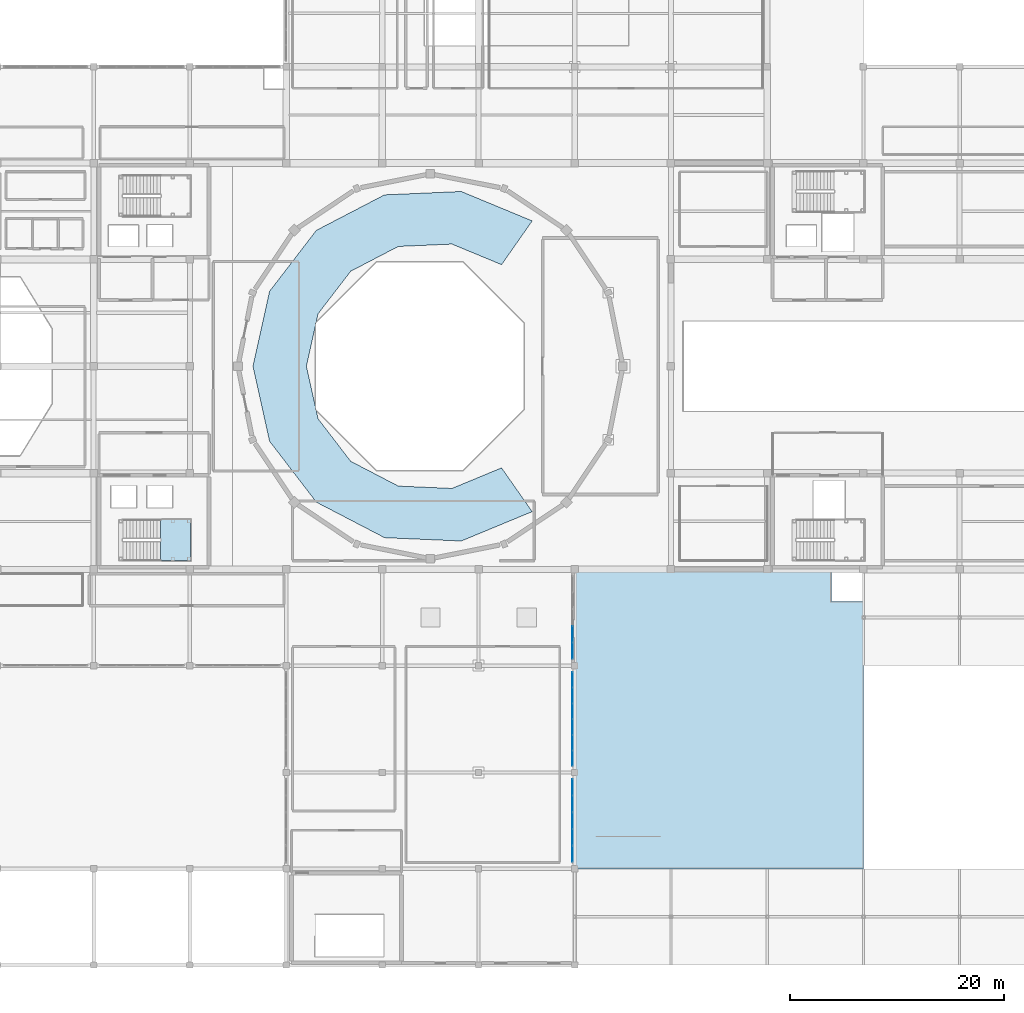
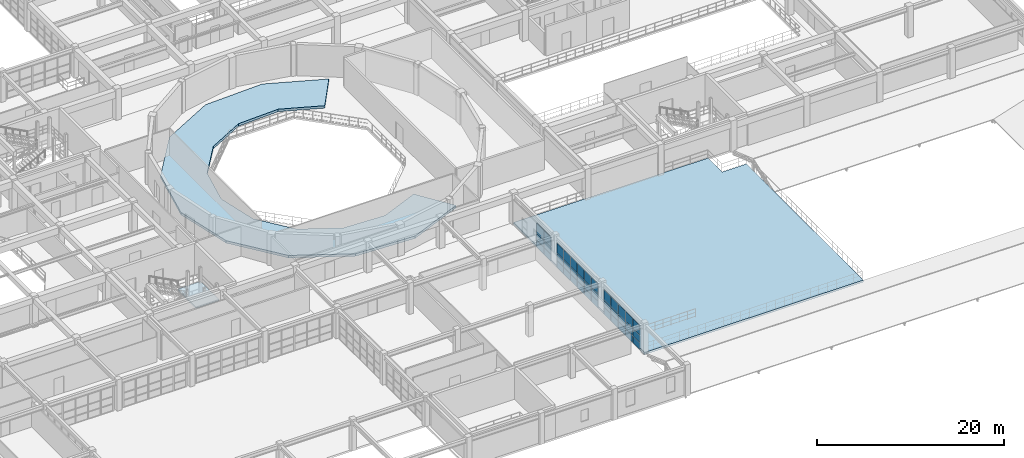
# One storey, part 82 of 110: 39 plates, 3 slabs, 4 elements without a shape of their own.
"""IFC4 building model written with IfcOpenShell, lengths in metres."""

import ifcopenshell
import ifcopenshell.guid

model = None  # the IFC model being written
_history = None  # IfcOwnerHistory: only IFC2X3 demands one
_inside = {}  # id of a spatial element -> (the spatial element, [elements in it])
_under = {}  # id of a project, library or spatial element -> (it, [spatial elements below it])
_declared = {}  # id of a project -> (the project, [libraries it declares])
_typed = {}  # id of a type object -> (the type object, [elements of that type])
_made_of = {}  # id of a material, layer set ... -> (it, [elements and type objects made of it])


def new_model(schema):
    """Start an empty IFC model of exactly this schema.

    Asked for "IFC4X3", IfcOpenShell would pick the latest addendum, in which some entities
    have other attributes; the version numbers below select the first issue.
    IFC2X3 requires an IfcOwnerHistory on every rooted entity: one is made here for all.
    """
    global model, _history
    if schema == "IFC4X3":
        model = ifcopenshell.file(schema_version=(4, 3, 0, 0))
    else:
        model = ifcopenshell.file(schema=schema)
    _inside.clear()
    _under.clear()
    _declared.clear()
    _typed.clear()
    _made_of.clear()
    _history = None
    if model.schema == "IFC2X3":
        org = make("IfcOrganization", Name="unknown")
        user = make(
            "IfcPersonAndOrganization",
            ThePerson=make("IfcPerson", FamilyName="unknown"),
            TheOrganization=org,
        )
        app = make(
            "IfcApplication",
            ApplicationDeveloper=org,
            Version="unknown",
            ApplicationFullName="unknown",
            ApplicationIdentifier="unknown",
        )
        _history = make(
            "IfcOwnerHistory",
            OwningUser=user,
            OwningApplication=app,
            ChangeAction="ADDED",
            CreationDate=0,
        )
    return model


def make(cls, **values):
    """One entity of the class cls with the attributes given. An attribute that is None is left unset."""
    return model.create_entity(
        cls, **{name: value for name, value in values.items() if value is not None}
    )


def rooted(cls, **values):
    """An entity with a GlobalId (a new one), such as an element, a storey or a relation."""
    return make(cls, GlobalId=ifcopenshell.guid.new(), OwnerHistory=_history, **values)


def si_unit(unit_type, name, prefix=None):
    """IfcSIUnit, for example si_unit("LENGTHUNIT", "METRE", prefix="MILLI")."""
    return make("IfcSIUnit", UnitType=unit_type, Prefix=prefix, Name=name)


def assignment(units):
    """IfcUnitAssignment: the units of a project."""
    return None if units is None else make("IfcUnitAssignment", Units=units)


def point(xyz):
    """IfcCartesianPoint."""
    return None if xyz is None else make("IfcCartesianPoint", Coordinates=xyz)


def direction(xyz):
    """IfcDirection."""
    return None if xyz is None else make("IfcDirection", DirectionRatios=xyz)


def frame(location, z_axis=None, x_axis=None):
    """IfcAxis2Placement3D, a coordinate frame: its origin and axes. An axis left out is left unset."""
    return make(
        "IfcAxis2Placement3D",
        Location=point(location),
        Axis=direction(z_axis),
        RefDirection=direction(x_axis),
    )


def frame_2d(location, x_axis=None):
    """IfcAxis2Placement2D, a coordinate frame in the plane: its origin and x axis."""
    return make(
        "IfcAxis2Placement2D", Location=point(location), RefDirection=direction(x_axis)
    )


def origin():
    """The frame at (0, 0, 0) with its axes left unset."""
    return frame((0.0, 0.0, 0.0))


def origin_2d():
    """The frame at (0, 0) in the plane with its x axis left unset."""
    return frame_2d((0.0, 0.0))


def place(relative_to, where):
    """IfcLocalPlacement: puts the frame where relative to a parent placement (None: the world)."""
    return make(
        "IfcLocalPlacement", PlacementRelTo=relative_to, RelativePlacement=where
    )


def context(
    kind, dimensions, precision=None, world=None, true_north=None, identifier=None
):
    """IfcGeometricRepresentationContext, for example the 3D "Model" context."""
    return make(
        "IfcGeometricRepresentationContext",
        ContextIdentifier=identifier,
        ContextType=kind,
        CoordinateSpaceDimension=dimensions,
        Precision=precision,
        WorldCoordinateSystem=world,
        TrueNorth=true_north,
    )


def subcontext(parent, identifier, kind, view, scale=None):
    """IfcGeometricRepresentationSubContext, for example "Body" below "Model"."""
    return make(
        "IfcGeometricRepresentationSubContext",
        ContextIdentifier=identifier,
        ContextType=kind,
        ParentContext=parent,
        TargetScale=scale,
        TargetView=view,
    )


def project(units=None, contexts=None):
    """IfcProject with its units and contexts."""
    return rooted(
        "IfcProject",
        Name="project",
        RepresentationContexts=contexts,
        UnitsInContext=assignment(units),
    )


def spatial(cls, under=None, at=None, **own):
    """A site, building, storey or space (cls), placed at a placement, below another one or the project."""
    s = rooted(cls, ObjectPlacement=at, **own)
    if under is not None:
        _under.setdefault(under.id(), (under, []))[1].append(s)
    return s


def polyline(points):
    """IfcPolyline through the points."""
    return make("IfcPolyline", Points=[point(p) for p in points])


def profile(cls, at=None, kind="AREA", **sizes):
    """A parametric profile (cls). Its sizes go by their IFC names, for example OverallWidth=200.0."""
    return make(cls, ProfileType=kind, Position=at, **sizes)


def rectangle(**sizes):
    """IfcRectangleProfileDef."""
    return profile("IfcRectangleProfileDef", **sizes)


def outline(outer, holes=None, kind="AREA"):
    """IfcArbitraryClosedProfileDef: a profile drawn as a closed curve; with holes, ...WithVoids."""
    if holes is None:
        return make("IfcArbitraryClosedProfileDef", ProfileType=kind, OuterCurve=outer)
    return make(
        "IfcArbitraryProfileDefWithVoids",
        ProfileType=kind,
        OuterCurve=outer,
        InnerCurves=holes,
    )


def extrude(swept, where, along, depth):
    """IfcExtrudedAreaSolid: the profile swept, set in the frame where, extruded along a direction by depth."""
    return make(
        "IfcExtrudedAreaSolid",
        SweptArea=swept,
        Position=where,
        ExtrudedDirection=direction(along),
        Depth=depth,
    )


def shape(context_of_items, identifier, shape_type, items):
    """IfcShapeRepresentation: the items that make up one representation, for example the "Body"."""
    return make(
        "IfcShapeRepresentation",
        ContextOfItems=context_of_items,
        RepresentationIdentifier=identifier,
        RepresentationType=shape_type,
        Items=items,
    )


def material(Name=None, Category=None):
    """IfcMaterial."""
    return make("IfcMaterial", Name=Name, Category=Category)


def layer(
    of_material, thickness, ventilated=None, Name=None, Category=None, Priority=None
):
    """IfcMaterialLayer: one layer of a wall or slab, of a material (None: an air gap)."""
    return make(
        "IfcMaterialLayer",
        Material=of_material,
        LayerThickness=thickness,
        IsVentilated=ventilated,
        Name=Name,
        Category=Category,
        Priority=Priority,
    )


def layer_set(layers, Name=None):
    """IfcMaterialLayerSet."""
    return make("IfcMaterialLayerSet", MaterialLayers=layers, LayerSetName=Name)


def made_of(thing, what):
    """Note that an element or type object is made of a material, layer set ...; save() writes the relation."""
    if what is not None:
        _made_of.setdefault(what.id(), (what, []))[1].append(thing)
    return thing


def type_object(cls, material=None, **own):
    """A type object (cls), such as IfcWallType, which elements share."""
    return made_of(rooted(cls, **own), material)


def element(
    cls,
    number,
    at=None,
    inside=None,
    cuts=None,
    type_object=None,
    material=None,
    context=None,
    identifier="Body",
    shape_type=None,
    held_by="IfcProductDefinitionShape",
    body=None,
    shapes=None,
    **own,
):
    """One element of the class cls, such as IfcWall. Its Tag is "e" and its number.

    at: its placement. inside: the storey or other place that contains it. cuts: it is an
    opening in that element (IfcRelVoidsElement). A single representation is given by context,
    identifier, shape_type and body (its items); several are given by shapes. held_by: the class
    of the entity that holds the representations. save() writes the other relations.
    """
    e = rooted(cls, Tag="e%d" % number, ObjectPlacement=at, **own)
    if body is not None:
        shapes = [shape(context, identifier, shape_type, body)]
    if shapes is not None:
        e.Representation = make(held_by, Representations=shapes)
    if inside is not None:
        _inside.setdefault(inside.id(), (inside, []))[1].append(e)
    if cuts is not None:
        rooted(
            "IfcRelVoidsElement", RelatingBuildingElement=cuts, RelatedOpeningElement=e
        )
    if type_object is not None:
        _typed.setdefault(type_object.id(), (type_object, []))[1].append(e)
    return made_of(e, material)


def aggregate(whole, parts):
    """IfcRelAggregates: a whole, such as a stair, and the parts it consists of."""
    return rooted("IfcRelAggregates", RelatingObject=whole, RelatedObjects=parts)


def save(model, path):
    """Write the relations noted so far, then the file.

    IfcRelAggregates (storeys below a building ...), IfcRelContainedInSpatialStructure (elements
    in a storey), IfcRelDefinesByType, IfcRelAssociatesMaterial and IfcRelDeclares: one each for
    every whole, place, type object, material and project.
    """
    for whole, parts in _under.values():
        aggregate(whole, parts)
    for where, things in _inside.values():
        rooted(
            "IfcRelContainedInSpatialStructure",
            RelatedElements=things,
            RelatingStructure=where,
        )
    for kind, things in _typed.values():
        rooted("IfcRelDefinesByType", RelatedObjects=things, RelatingType=kind)
    for what, things in _made_of.values():
        rooted("IfcRelAssociatesMaterial", RelatedObjects=things, RelatingMaterial=what)
    for by, libraries in _declared.values():
        rooted("IfcRelDeclares", RelatingContext=by, RelatedDefinitions=libraries)
    model.write(path)


model = new_model("IFC4")

# Units and contexts
model_context = context("Model", 3, precision=1e-05, world=origin(), true_north=direction((0.0, 1.0)))
body_context = subcontext(model_context, "Body", "Model", "MODEL_VIEW")
ifc_project = project(units=[si_unit("LENGTHUNIT", "METRE"), si_unit("AREAUNIT", "SQUARE_METRE"), si_unit("VOLUMEUNIT", "CUBIC_METRE"), si_unit("PLANEANGLEUNIT", "RADIAN"), si_unit("MASSUNIT", "GRAM", prefix="KILO")], contexts=[model_context])

# Site, building, storey
site_placement = place(None, origin())
site = spatial("IfcSite", under=ifc_project, at=site_placement, CompositionType="ELEMENT")
building_placement = place(site_placement, origin())
building = spatial("IfcBuilding", under=site, at=building_placement, Name="Miravela Opera House", CompositionType="ELEMENT")
storey_placement = place(building_placement, frame((0.0, 0.0, 13.60009765625)))
storey = spatial("IfcBuildingStorey", under=building, at=storey_placement, Name="L03", CompositionType="ELEMENT", Elevation=13.60009765625)

# Curtain wall, plates
ifc_material_1 = material(Name="Anodised architectural bronze aluminium 6063-T6", Category="aluminium")
curtain_wall_type = type_object("IfcCurtainWallType", Name="ARC-CW-08", PredefinedType="NOTDEFINED", material=ifc_material_1)
curtain_wall_1_placement = place(storey_placement, origin())
curtain_wall_1 = element("IfcCurtainWall", 1, at=curtain_wall_1_placement, inside=storey, type_object=curtain_wall_type, Name="Courtyard Arcade Curtain Wall CW-L03-201", PredefinedType="NOTDEFINED")
ifc_material_2 = material(Name="Acoustic laminated low-E insulating glass", Category="glass")
ifc_layer_1 = layer(ifc_material_2, 0.028076171875)
ifc_layer_set_1 = layer_set([ifc_layer_1])
plate_type = type_object("IfcPlateType", Name="ARC-CWP-28", PredefinedType="CURTAIN_PANEL", material=ifc_layer_set_1)
plate_1_placement = place(storey_placement, frame((89.800048828125, 10.37890625, 0.06005859375), z_axis=(0.0, 0.0, 1.0), x_axis=(0.0, 1.0, 0.0)))
plate_1 = element("IfcPlate", 2, at=plate_1_placement, type_object=plate_type, Name="CW-08 panel 1.1", PredefinedType="CURTAIN_PANEL", context=body_context, shape_type="SweptSolid", body=[
    extrude(rectangle(XDim=1.47802734375, YDim=0.028076171875, at=origin_2d()), origin(), (0.0, 0.0, 1.0), 0.860107421875),
])
plate_2_placement = place(storey_placement, frame((89.800048828125, 10.37890625, 0.97998046875), z_axis=(0.0, 0.0, 1.0), x_axis=(0.0, 1.0, 0.0)))
plate_2 = element("IfcPlate", 3, at=plate_2_placement, type_object=plate_type, Name="CW-08 panel 1.2", PredefinedType="CURTAIN_PANEL", context=body_context, shape_type="SweptSolid", body=[
    extrude(rectangle(XDim=1.47802734375, YDim=0.028076171875, at=origin_2d()), origin(), (0.0, 0.0, 1.0), 0.898193359375),
])
plate_3_placement = place(storey_placement, frame((89.800048828125, 10.37890625, 1.93798828125), z_axis=(0.0, 0.0, 1.0), x_axis=(0.0, 1.0, 0.0)))
plate_3 = element("IfcPlate", 4, at=plate_3_placement, type_object=plate_type, Name="CW-08 panel 1.3", PredefinedType="CURTAIN_PANEL", context=body_context, shape_type="SweptSolid", body=[
    extrude(rectangle(XDim=1.47802734375, YDim=0.028076171875, at=origin_2d()), origin(), (0.0, 0.0, 1.0), 1.291748046875),
])
plate_4_placement = place(storey_placement, frame((89.800048828125, 11.931884765625, 0.06005859375), z_axis=(0.0, 0.0, 1.0), x_axis=(0.0, 1.0, 0.0)))
plate_4 = element("IfcPlate", 5, at=plate_4_placement, type_object=plate_type, Name="CW-08 panel 2.1", PredefinedType="CURTAIN_PANEL", context=body_context, shape_type="SweptSolid", body=[
    extrude(rectangle(XDim=1.508056640625, YDim=0.028076171875, at=origin_2d()), origin(), (0.0, 0.0, 1.0), 0.860107421875),
])
plate_5_placement = place(storey_placement, frame((89.800048828125, 11.931884765625, 0.97998046875), z_axis=(0.0, 0.0, 1.0), x_axis=(0.0, 1.0, 0.0)))
plate_5 = element("IfcPlate", 6, at=plate_5_placement, type_object=plate_type, Name="CW-08 panel 2.2", PredefinedType="CURTAIN_PANEL", context=body_context, shape_type="SweptSolid", body=[
    extrude(rectangle(XDim=1.508056640625, YDim=0.028076171875, at=origin_2d()), origin(), (0.0, 0.0, 1.0), 0.898193359375),
])
plate_6_placement = place(storey_placement, frame((89.800048828125, 11.931884765625, 1.93798828125), z_axis=(0.0, 0.0, 1.0), x_axis=(0.0, 1.0, 0.0)))
plate_6 = element("IfcPlate", 7, at=plate_6_placement, type_object=plate_type, Name="CW-08 panel 2.3", PredefinedType="CURTAIN_PANEL", context=body_context, shape_type="SweptSolid", body=[
    extrude(rectangle(XDim=1.508056640625, YDim=0.028076171875, at=origin_2d()), origin(), (0.0, 0.0, 1.0), 1.291748046875),
])
plate_7_placement = place(storey_placement, frame((89.800048828125, 13.5, 0.06005859375), z_axis=(0.0, 0.0, 1.0), x_axis=(0.0, 1.0, 0.0)))
plate_7 = element("IfcPlate", 8, at=plate_7_placement, type_object=plate_type, Name="CW-08 panel 3.1", PredefinedType="CURTAIN_PANEL", context=body_context, shape_type="SweptSolid", body=[
    extrude(rectangle(XDim=1.508056640625, YDim=0.028076171875, at=origin_2d()), origin(), (0.0, 0.0, 1.0), 0.860107421875),
])
plate_8_placement = place(storey_placement, frame((89.800048828125, 13.5, 0.97998046875), z_axis=(0.0, 0.0, 1.0), x_axis=(0.0, 1.0, 0.0)))
plate_8 = element("IfcPlate", 9, at=plate_8_placement, type_object=plate_type, Name="CW-08 panel 3.2", PredefinedType="CURTAIN_PANEL", context=body_context, shape_type="SweptSolid", body=[
    extrude(rectangle(XDim=1.508056640625, YDim=0.028076171875, at=origin_2d()), origin(), (0.0, 0.0, 1.0), 0.898193359375),
])
plate_9_placement = place(storey_placement, frame((89.800048828125, 13.5, 1.93798828125), z_axis=(0.0, 0.0, 1.0), x_axis=(0.0, 1.0, 0.0)))
plate_9 = element("IfcPlate", 10, at=plate_9_placement, type_object=plate_type, Name="CW-08 panel 3.3", PredefinedType="CURTAIN_PANEL", context=body_context, shape_type="SweptSolid", body=[
    extrude(rectangle(XDim=1.508056640625, YDim=0.028076171875, at=origin_2d()), origin(), (0.0, 0.0, 1.0), 1.291748046875),
])
plate_10_placement = place(storey_placement, frame((89.800048828125, 15.068115234375, 0.06005859375), z_axis=(0.0, 0.0, 1.0), x_axis=(0.0, 1.0, 0.0)))
plate_10 = element("IfcPlate", 11, at=plate_10_placement, type_object=plate_type, Name="CW-08 panel 4.1", PredefinedType="CURTAIN_PANEL", context=body_context, shape_type="SweptSolid", body=[
    extrude(rectangle(XDim=1.508056640625, YDim=0.028076171875, at=origin_2d()), origin(), (0.0, 0.0, 1.0), 0.860107421875),
])
plate_11_placement = place(storey_placement, frame((89.800048828125, 15.068115234375, 0.97998046875), z_axis=(0.0, 0.0, 1.0), x_axis=(0.0, 1.0, 0.0)))
plate_11 = element("IfcPlate", 12, at=plate_11_placement, type_object=plate_type, Name="CW-08 panel 4.2", PredefinedType="CURTAIN_PANEL", context=body_context, shape_type="SweptSolid", body=[
    extrude(rectangle(XDim=1.508056640625, YDim=0.028076171875, at=origin_2d()), origin(), (0.0, 0.0, 1.0), 0.898193359375),
])
plate_12_placement = place(storey_placement, frame((89.800048828125, 15.068115234375, 1.93798828125), z_axis=(0.0, 0.0, 1.0), x_axis=(0.0, 1.0, 0.0)))
plate_12 = element("IfcPlate", 13, at=plate_12_placement, type_object=plate_type, Name="CW-08 panel 4.3", PredefinedType="CURTAIN_PANEL", context=body_context, shape_type="SweptSolid", body=[
    extrude(rectangle(XDim=1.508056640625, YDim=0.028076171875, at=origin_2d()), origin(), (0.0, 0.0, 1.0), 1.291748046875),
])
plate_13_placement = place(storey_placement, frame((89.800048828125, 16.62109375, 0.06005859375), z_axis=(0.0, 0.0, 1.0), x_axis=(0.0, 1.0, 0.0)))
plate_13 = element("IfcPlate", 14, at=plate_13_placement, type_object=plate_type, Name="CW-08 panel 5.1", PredefinedType="CURTAIN_PANEL", context=body_context, shape_type="SweptSolid", body=[
    extrude(rectangle(XDim=1.47802734375, YDim=0.028076171875, at=origin_2d()), origin(), (0.0, 0.0, 1.0), 0.860107421875),
])
plate_14_placement = place(storey_placement, frame((89.800048828125, 16.62109375, 0.97998046875), z_axis=(0.0, 0.0, 1.0), x_axis=(0.0, 1.0, 0.0)))
plate_14 = element("IfcPlate", 15, at=plate_14_placement, type_object=plate_type, Name="CW-08 panel 5.2", PredefinedType="CURTAIN_PANEL", context=body_context, shape_type="SweptSolid", body=[
    extrude(rectangle(XDim=1.47802734375, YDim=0.028076171875, at=origin_2d()), origin(), (0.0, 0.0, 1.0), 0.898193359375),
])
plate_15_placement = place(storey_placement, frame((89.800048828125, 16.62109375, 1.93798828125), z_axis=(0.0, 0.0, 1.0), x_axis=(0.0, 1.0, 0.0)))
plate_15 = element("IfcPlate", 16, at=plate_15_placement, type_object=plate_type, Name="CW-08 panel 5.3", PredefinedType="CURTAIN_PANEL", context=body_context, shape_type="SweptSolid", body=[
    extrude(rectangle(XDim=1.47802734375, YDim=0.028076171875, at=origin_2d()), origin(), (0.0, 0.0, 1.0), 1.291748046875),
])
aggregate(curtain_wall_1, [plate_1, plate_2, plate_3, plate_4, plate_5, plate_6, plate_7, plate_8, plate_9, plate_10, plate_11, plate_12, plate_13, plate_14, plate_15])

curtain_wall_2_placement = place(storey_placement, origin())
curtain_wall_2 = element("IfcCurtainWall", 17, at=curtain_wall_2_placement, inside=storey, type_object=curtain_wall_type, Name="Courtyard Arcade Curtain Wall CW-L03-202", PredefinedType="NOTDEFINED")
plate_16_placement = place(storey_placement, frame((89.800048828125, 19.331787109375, 0.06005859375), z_axis=(0.0, 0.0, 1.0), x_axis=(0.0, 1.0, 0.0)))
plate_16 = element("IfcPlate", 18, at=plate_16_placement, type_object=plate_type, Name="CW-08 panel 1.1", PredefinedType="CURTAIN_PANEL", context=body_context, shape_type="SweptSolid", body=[
    extrude(rectangle(XDim=1.38330078125, YDim=0.028076171875, at=origin_2d()), origin(), (0.0, 0.0, 1.0), 0.860107421875),
])
plate_17_placement = place(storey_placement, frame((89.800048828125, 19.331787109375, 0.97998046875), z_axis=(0.0, 0.0, 1.0), x_axis=(0.0, 1.0, 0.0)))
plate_17 = element("IfcPlate", 19, at=plate_17_placement, type_object=plate_type, Name="CW-08 panel 1.2", PredefinedType="CURTAIN_PANEL", context=body_context, shape_type="SweptSolid", body=[
    extrude(rectangle(XDim=1.38330078125, YDim=0.028076171875, at=origin_2d()), origin(), (0.0, 0.0, 1.0), 0.898193359375),
])
plate_18_placement = place(storey_placement, frame((89.800048828125, 19.331787109375, 1.93798828125), z_axis=(0.0, 0.0, 1.0), x_axis=(0.0, 1.0, 0.0)))
plate_18 = element("IfcPlate", 20, at=plate_18_placement, type_object=plate_type, Name="CW-08 panel 1.3", PredefinedType="CURTAIN_PANEL", context=body_context, shape_type="SweptSolid", body=[
    extrude(rectangle(XDim=1.38330078125, YDim=0.028076171875, at=origin_2d()), origin(), (0.0, 0.0, 1.0), 1.291748046875),
])
plate_19_placement = place(storey_placement, frame((89.800048828125, 20.7900390625, 0.06005859375), z_axis=(0.0, 0.0, 1.0), x_axis=(0.0, 1.0, 0.0)))
plate_19 = element("IfcPlate", 21, at=plate_19_placement, type_object=plate_type, Name="CW-08 panel 2.1", PredefinedType="CURTAIN_PANEL", context=body_context, shape_type="SweptSolid", body=[
    extrude(rectangle(XDim=1.413330078125, YDim=0.028076171875, at=origin_2d()), origin(), (0.0, 0.0, 1.0), 0.860107421875),
])
plate_20_placement = place(storey_placement, frame((89.800048828125, 20.7900390625, 0.97998046875), z_axis=(0.0, 0.0, 1.0), x_axis=(0.0, 1.0, 0.0)))
plate_20 = element("IfcPlate", 22, at=plate_20_placement, type_object=plate_type, Name="CW-08 panel 2.2", PredefinedType="CURTAIN_PANEL", context=body_context, shape_type="SweptSolid", body=[
    extrude(rectangle(XDim=1.413330078125, YDim=0.028076171875, at=origin_2d()), origin(), (0.0, 0.0, 1.0), 0.898193359375),
])
plate_21_placement = place(storey_placement, frame((89.800048828125, 20.7900390625, 1.93798828125), z_axis=(0.0, 0.0, 1.0), x_axis=(0.0, 1.0, 0.0)))
plate_21 = element("IfcPlate", 23, at=plate_21_placement, type_object=plate_type, Name="CW-08 panel 2.3", PredefinedType="CURTAIN_PANEL", context=body_context, shape_type="SweptSolid", body=[
    extrude(rectangle(XDim=1.413330078125, YDim=0.028076171875, at=origin_2d()), origin(), (0.0, 0.0, 1.0), 1.291748046875),
])
plate_22_placement = place(storey_placement, frame((89.800048828125, 22.263427734375, 0.06005859375), z_axis=(0.0, 0.0, 1.0), x_axis=(0.0, 1.0, 0.0)))
plate_22 = element("IfcPlate", 24, at=plate_22_placement, type_object=plate_type, Name="CW-08 panel 3.1", PredefinedType="CURTAIN_PANEL", context=body_context, shape_type="SweptSolid", body=[
    extrude(rectangle(XDim=1.413330078125, YDim=0.028076171875, at=origin_2d()), origin(), (0.0, 0.0, 1.0), 0.860107421875),
])
plate_23_placement = place(storey_placement, frame((89.800048828125, 22.263427734375, 0.97998046875), z_axis=(0.0, 0.0, 1.0), x_axis=(0.0, 1.0, 0.0)))
plate_23 = element("IfcPlate", 25, at=plate_23_placement, type_object=plate_type, Name="CW-08 panel 3.2", PredefinedType="CURTAIN_PANEL", context=body_context, shape_type="SweptSolid", body=[
    extrude(rectangle(XDim=1.413330078125, YDim=0.028076171875, at=origin_2d()), origin(), (0.0, 0.0, 1.0), 0.898193359375),
])
plate_24_placement = place(storey_placement, frame((89.800048828125, 22.263427734375, 1.93798828125), z_axis=(0.0, 0.0, 1.0), x_axis=(0.0, 1.0, 0.0)))
plate_24 = element("IfcPlate", 26, at=plate_24_placement, type_object=plate_type, Name="CW-08 panel 3.3", PredefinedType="CURTAIN_PANEL", context=body_context, shape_type="SweptSolid", body=[
    extrude(rectangle(XDim=1.413330078125, YDim=0.028076171875, at=origin_2d()), origin(), (0.0, 0.0, 1.0), 1.291748046875),
])
plate_25_placement = place(storey_placement, frame((89.800048828125, 23.736572265625, 0.06005859375), z_axis=(0.0, 0.0, 1.0), x_axis=(0.0, 1.0, 0.0)))
plate_25 = element("IfcPlate", 27, at=plate_25_placement, type_object=plate_type, Name="CW-08 panel 4.1", PredefinedType="CURTAIN_PANEL", context=body_context, shape_type="SweptSolid", body=[
    extrude(rectangle(XDim=1.413330078125, YDim=0.028076171875, at=origin_2d()), origin(), (0.0, 0.0, 1.0), 0.860107421875),
])
plate_26_placement = place(storey_placement, frame((89.800048828125, 23.736572265625, 0.97998046875), z_axis=(0.0, 0.0, 1.0), x_axis=(0.0, 1.0, 0.0)))
plate_26 = element("IfcPlate", 28, at=plate_26_placement, type_object=plate_type, Name="CW-08 panel 4.2", PredefinedType="CURTAIN_PANEL", context=body_context, shape_type="SweptSolid", body=[
    extrude(rectangle(XDim=1.413330078125, YDim=0.028076171875, at=origin_2d()), origin(), (0.0, 0.0, 1.0), 0.898193359375),
])
plate_27_placement = place(storey_placement, frame((89.800048828125, 23.736572265625, 1.93798828125), z_axis=(0.0, 0.0, 1.0), x_axis=(0.0, 1.0, 0.0)))
plate_27 = element("IfcPlate", 29, at=plate_27_placement, type_object=plate_type, Name="CW-08 panel 4.3", PredefinedType="CURTAIN_PANEL", context=body_context, shape_type="SweptSolid", body=[
    extrude(rectangle(XDim=1.413330078125, YDim=0.028076171875, at=origin_2d()), origin(), (0.0, 0.0, 1.0), 1.291748046875),
])
plate_28_placement = place(storey_placement, frame((89.800048828125, 25.2099609375, 0.06005859375), z_axis=(0.0, 0.0, 1.0), x_axis=(0.0, 1.0, 0.0)))
plate_28 = element("IfcPlate", 30, at=plate_28_placement, type_object=plate_type, Name="CW-08 panel 5.1", PredefinedType="CURTAIN_PANEL", context=body_context, shape_type="SweptSolid", body=[
    extrude(rectangle(XDim=1.413330078125, YDim=0.028076171875, at=origin_2d()), origin(), (0.0, 0.0, 1.0), 0.860107421875),
])
plate_29_placement = place(storey_placement, frame((89.800048828125, 25.2099609375, 0.97998046875), z_axis=(0.0, 0.0, 1.0), x_axis=(0.0, 1.0, 0.0)))
plate_29 = element("IfcPlate", 31, at=plate_29_placement, type_object=plate_type, Name="CW-08 panel 5.2", PredefinedType="CURTAIN_PANEL", context=body_context, shape_type="SweptSolid", body=[
    extrude(rectangle(XDim=1.413330078125, YDim=0.028076171875, at=origin_2d()), origin(), (0.0, 0.0, 1.0), 0.898193359375),
])
plate_30_placement = place(storey_placement, frame((89.800048828125, 25.2099609375, 1.93798828125), z_axis=(0.0, 0.0, 1.0), x_axis=(0.0, 1.0, 0.0)))
plate_30 = element("IfcPlate", 32, at=plate_30_placement, type_object=plate_type, Name="CW-08 panel 5.3", PredefinedType="CURTAIN_PANEL", context=body_context, shape_type="SweptSolid", body=[
    extrude(rectangle(XDim=1.413330078125, YDim=0.028076171875, at=origin_2d()), origin(), (0.0, 0.0, 1.0), 1.291748046875),
])
plate_31_placement = place(storey_placement, frame((89.800048828125, 26.668212890625, 0.06005859375), z_axis=(0.0, 0.0, 1.0), x_axis=(0.0, 1.0, 0.0)))
plate_31 = element("IfcPlate", 33, at=plate_31_placement, type_object=plate_type, Name="CW-08 panel 6.1", PredefinedType="CURTAIN_PANEL", context=body_context, shape_type="SweptSolid", body=[
    extrude(rectangle(XDim=1.38330078125, YDim=0.028076171875, at=origin_2d()), origin(), (0.0, 0.0, 1.0), 0.860107421875),
])
plate_32_placement = place(storey_placement, frame((89.800048828125, 26.668212890625, 0.97998046875), z_axis=(0.0, 0.0, 1.0), x_axis=(0.0, 1.0, 0.0)))
plate_32 = element("IfcPlate", 34, at=plate_32_placement, type_object=plate_type, Name="CW-08 panel 6.2", PredefinedType="CURTAIN_PANEL", context=body_context, shape_type="SweptSolid", body=[
    extrude(rectangle(XDim=1.38330078125, YDim=0.028076171875, at=origin_2d()), origin(), (0.0, 0.0, 1.0), 0.898193359375),
])
plate_33_placement = place(storey_placement, frame((89.800048828125, 26.668212890625, 1.93798828125), z_axis=(0.0, 0.0, 1.0), x_axis=(0.0, 1.0, 0.0)))
plate_33 = element("IfcPlate", 35, at=plate_33_placement, type_object=plate_type, Name="CW-08 panel 6.3", PredefinedType="CURTAIN_PANEL", context=body_context, shape_type="SweptSolid", body=[
    extrude(rectangle(XDim=1.38330078125, YDim=0.028076171875, at=origin_2d()), origin(), (0.0, 0.0, 1.0), 1.291748046875),
])
aggregate(curtain_wall_2, [plate_16, plate_17, plate_18, plate_19, plate_20, plate_21, plate_22, plate_23, plate_24, plate_25, plate_26, plate_27, plate_28, plate_29, plate_30, plate_31, plate_32, plate_33])

curtain_wall_3_placement = place(storey_placement, origin())
curtain_wall_3 = element("IfcCurtainWall", 36, at=curtain_wall_3_placement, inside=storey, type_object=curtain_wall_type, Name="Courtyard Arcade Curtain Wall CW-L03-203", PredefinedType="NOTDEFINED")
plate_34_placement = place(storey_placement, frame((89.800048828125, 29.37890625, 0.06005859375), z_axis=(0.0, 0.0, 1.0), x_axis=(0.0, 1.0, 0.0)))
plate_34 = element("IfcPlate", 37, at=plate_34_placement, type_object=plate_type, Name="CW-08 panel 1.1", PredefinedType="CURTAIN_PANEL", context=body_context, shape_type="SweptSolid", body=[
    extrude(rectangle(XDim=1.47802734375, YDim=0.028076171875, at=origin_2d()), origin(), (0.0, 0.0, 1.0), 0.860107421875),
])
plate_35_placement = place(storey_placement, frame((89.800048828125, 29.37890625, 0.97998046875), z_axis=(0.0, 0.0, 1.0), x_axis=(0.0, 1.0, 0.0)))
plate_35 = element("IfcPlate", 38, at=plate_35_placement, type_object=plate_type, Name="CW-08 panel 1.2", PredefinedType="CURTAIN_PANEL", context=body_context, shape_type="SweptSolid", body=[
    extrude(rectangle(XDim=1.47802734375, YDim=0.028076171875, at=origin_2d()), origin(), (0.0, 0.0, 1.0), 0.898193359375),
])
plate_36_placement = place(storey_placement, frame((89.800048828125, 29.37890625, 1.93798828125), z_axis=(0.0, 0.0, 1.0), x_axis=(0.0, 1.0, 0.0)))
plate_36 = element("IfcPlate", 39, at=plate_36_placement, type_object=plate_type, Name="CW-08 panel 1.3", PredefinedType="CURTAIN_PANEL", context=body_context, shape_type="SweptSolid", body=[
    extrude(rectangle(XDim=1.47802734375, YDim=0.028076171875, at=origin_2d()), origin(), (0.0, 0.0, 1.0), 1.291748046875),
])
plate_37_placement = place(storey_placement, frame((89.800048828125, 30.931884765625, 0.06005859375), z_axis=(0.0, 0.0, 1.0), x_axis=(0.0, 1.0, 0.0)))
plate_37 = element("IfcPlate", 40, at=plate_37_placement, type_object=plate_type, Name="CW-08 panel 2.1", PredefinedType="CURTAIN_PANEL", context=body_context, shape_type="SweptSolid", body=[
    extrude(rectangle(XDim=1.508056640625, YDim=0.028076171875, at=origin_2d()), origin(), (0.0, 0.0, 1.0), 0.860107421875),
])
plate_38_placement = place(storey_placement, frame((89.800048828125, 30.931884765625, 0.97998046875), z_axis=(0.0, 0.0, 1.0), x_axis=(0.0, 1.0, 0.0)))
plate_38 = element("IfcPlate", 41, at=plate_38_placement, type_object=plate_type, Name="CW-08 panel 2.2", PredefinedType="CURTAIN_PANEL", context=body_context, shape_type="SweptSolid", body=[
    extrude(rectangle(XDim=1.508056640625, YDim=0.028076171875, at=origin_2d()), origin(), (0.0, 0.0, 1.0), 0.898193359375),
])
plate_39_placement = place(storey_placement, frame((89.800048828125, 30.931884765625, 1.93798828125), z_axis=(0.0, 0.0, 1.0), x_axis=(0.0, 1.0, 0.0)))
plate_39 = element("IfcPlate", 42, at=plate_39_placement, type_object=plate_type, Name="CW-08 panel 2.3", PredefinedType="CURTAIN_PANEL", context=body_context, shape_type="SweptSolid", body=[
    extrude(rectangle(XDim=1.508056640625, YDim=0.028076171875, at=origin_2d()), origin(), (0.0, 0.0, 1.0), 1.291748046875),
])
aggregate(curtain_wall_3, [plate_34, plate_35, plate_36, plate_37, plate_38, plate_39])

# Stair, slab
ifc_material_3 = material(Name="Concrete C35/45", Category="concrete")
stair_type = type_object("IfcStairType", Name="ARC-STAIR-CORE-1680", PredefinedType="HALF_TURN_STAIR", material=ifc_material_3)
stair_placement = place(storey_placement, origin())
stair = element("IfcStair", 43, at=stair_placement, inside=storey, type_object=stair_type, Name="L03 Core K2 South Foyer Core Exit Stair ST-02", PredefinedType="HALF_TURN_STAIR")
ifc_layer_2 = layer(ifc_material_3, 0.199951171875)
ifc_layer_set_2 = layer_set([ifc_layer_2])
slab_type_1 = type_object("IfcSlabType", Name="ARC-LANDING-200", PredefinedType="LANDING", material=ifc_layer_set_2)
slab_1_placement = place(storey_placement, frame((0.0, 0.0, 1.83984375)))
slab_1 = element("IfcSlab", 44, at=slab_1_placement, type_object=slab_type_1, Name="ST-02 landing 1", PredefinedType="LANDING", context=body_context, shape_type="SweptSolid", body=[
    extrude(outline(polyline([(51.260009765625, 37.800048828125), (54.10009765625, 37.800048828125), (54.10009765625, 41.679931640625), (51.260009765625, 41.679931640625), (51.260009765625, 37.800048828125)])), origin(), (0.0, 0.0, 1.0), 0.199951171875),
])
aggregate(stair, [slab_1])

# Slabs
ifc_layer_3 = layer(ifc_material_3, 0.27001953125)
ifc_layer_set_3 = layer_set([ifc_layer_3])
slab_type_2 = type_object("IfcSlabType", Name="STR-SLAB-TERR-270", PredefinedType="FLOOR", material=ifc_layer_set_3)
slab_2_placement = place(storey_placement, frame((0.0, 0.0, -0.27001953125)))
element("IfcSlab", 45, at=slab_2_placement, inside=storey, type_object=slab_type_2, Name="L03 South Planted Roof Terrace Deck", PredefinedType="FLOOR", context=body_context, shape_type="SweptSolid", body=[
    extrude(outline(polyline([(90.0, 9.0), (117.0, 9.0), (117.0, 34.0), (114.0, 34.0), (114.0, 37.0), (90.0, 37.0), (90.0, 9.0)])), origin(), (0.0, 0.0, 1.0), 0.27001953125),
])
ifc_material_4 = material(Name="Precast concrete C40/50", Category="concrete")
ifc_layer_4 = layer(ifc_material_4, 0.219970703125)
ifc_layer_set_4 = layer_set([ifc_layer_4])
slab_type_3 = type_object("IfcSlabType", Name="STR-SLAB-TIER-220", PredefinedType="USERDEFINED", material=ifc_layer_set_4)
slab_3_placement = place(storey_placement, frame((0.0, 0.0, 0.02001953125)))
element("IfcSlab", 46, at=slab_3_placement, inside=storey, type_object=slab_type_3, Name="Stand Main Auditorium Horseshoe Tier 4 (L03)", ObjectType="SEATING TIER", PredefinedType="USERDEFINED", context=body_context, shape_type="SweptSolid", body=[
    extrude(outline(polyline([(86.021484375, 69.597900390625), (79.382568359375, 72.347900390625), (72.20361328125, 72.034423828125), (65.82958984375, 68.71630859375), (61.455322265625, 63.015380859375), (59.89990234375, 56.0), (61.455322265625, 48.984619140625), (65.82958984375, 43.28369140625), (72.20361328125, 39.965576171875), (79.382568359375, 39.652099609375), (86.021484375, 42.402099609375), (83.153564453125, 46.497802734375), (78.514404296875, 44.576171875), (73.497802734375, 44.79541015625), (69.043701171875, 47.114013671875), (65.98681640625, 51.09765625), (64.89990234375, 56.0), (65.98681640625, 60.90234375), (69.043701171875, 64.885986328125), (73.497802734375, 67.20458984375), (78.514404296875, 67.423828125), (83.153564453125, 65.502197265625), (86.021484375, 69.597900390625)])), origin(), (0.0, 0.0, 1.0), 0.31982421875),
])

save(model, "model.ifc")
